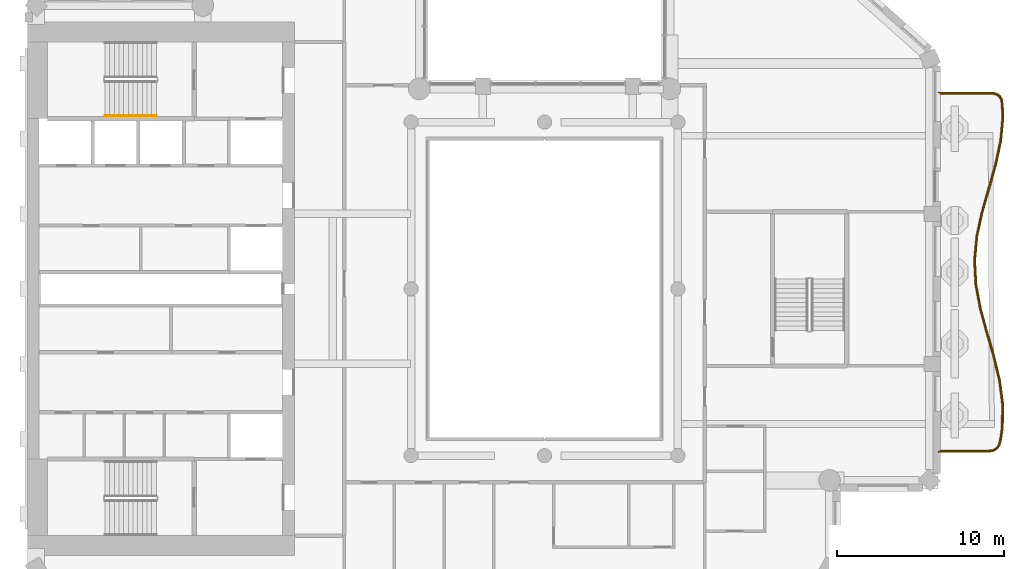
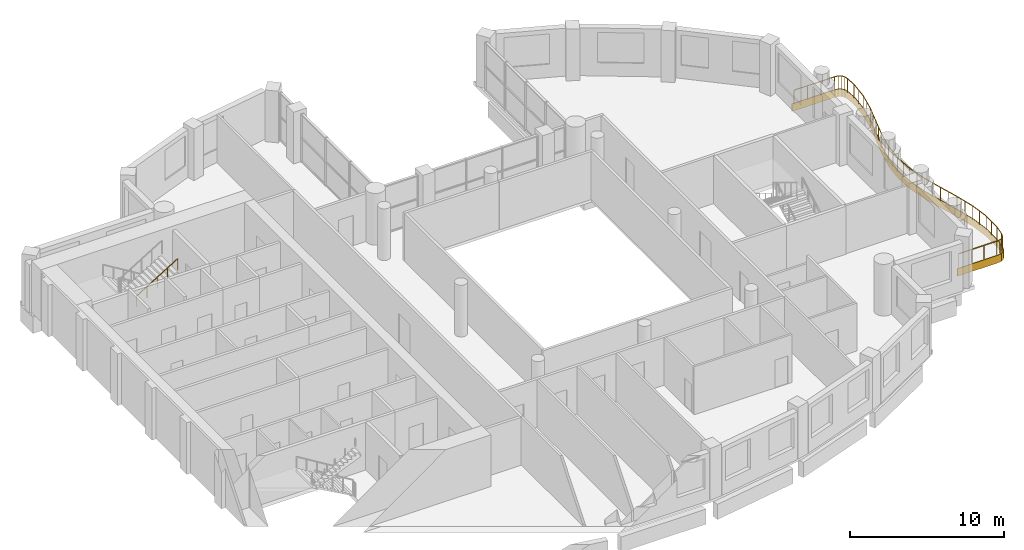
# One storey, part 13 of 15: 2 railings, 1 covering.
"""IFC4 building model written with IfcOpenShell, lengths in metres."""

import ifcopenshell
import ifcopenshell.guid

model = None  # the IFC model being written
_history = None  # IfcOwnerHistory: only IFC2X3 demands one
_inside = {}  # id of a spatial element -> (the spatial element, [elements in it])
_under = {}  # id of a project, library or spatial element -> (it, [spatial elements below it])
_declared = {}  # id of a project -> (the project, [libraries it declares])
_typed = {}  # id of a type object -> (the type object, [elements of that type])
_made_of = {}  # id of a material, layer set ... -> (it, [elements and type objects made of it])


def new_model(schema):
    """Start an empty IFC model of exactly this schema.

    Asked for "IFC4X3", IfcOpenShell would pick the latest addendum, in which some entities
    have other attributes; the version numbers below select the first issue.
    IFC2X3 requires an IfcOwnerHistory on every rooted entity: one is made here for all.
    """
    global model, _history
    if schema == "IFC4X3":
        model = ifcopenshell.file(schema_version=(4, 3, 0, 0))
    else:
        model = ifcopenshell.file(schema=schema)
    _inside.clear()
    _under.clear()
    _declared.clear()
    _typed.clear()
    _made_of.clear()
    _history = None
    if model.schema == "IFC2X3":
        org = make("IfcOrganization", Name="unknown")
        user = make(
            "IfcPersonAndOrganization",
            ThePerson=make("IfcPerson", FamilyName="unknown"),
            TheOrganization=org,
        )
        app = make(
            "IfcApplication",
            ApplicationDeveloper=org,
            Version="unknown",
            ApplicationFullName="unknown",
            ApplicationIdentifier="unknown",
        )
        _history = make(
            "IfcOwnerHistory",
            OwningUser=user,
            OwningApplication=app,
            ChangeAction="ADDED",
            CreationDate=0,
        )
    return model


def make(cls, **values):
    """One entity of the class cls with the attributes given. An attribute that is None is left unset."""
    return model.create_entity(
        cls, **{name: value for name, value in values.items() if value is not None}
    )


def rooted(cls, **values):
    """An entity with a GlobalId (a new one), such as an element, a storey or a relation."""
    return make(cls, GlobalId=ifcopenshell.guid.new(), OwnerHistory=_history, **values)


def si_unit(unit_type, name, prefix=None):
    """IfcSIUnit, for example si_unit("LENGTHUNIT", "METRE", prefix="MILLI")."""
    return make("IfcSIUnit", UnitType=unit_type, Prefix=prefix, Name=name)


def assignment(units):
    """IfcUnitAssignment: the units of a project."""
    return None if units is None else make("IfcUnitAssignment", Units=units)


def point(xyz):
    """IfcCartesianPoint."""
    return None if xyz is None else make("IfcCartesianPoint", Coordinates=xyz)


def direction(xyz):
    """IfcDirection."""
    return None if xyz is None else make("IfcDirection", DirectionRatios=xyz)


def frame(location, z_axis=None, x_axis=None):
    """IfcAxis2Placement3D, a coordinate frame: its origin and axes. An axis left out is left unset."""
    return make(
        "IfcAxis2Placement3D",
        Location=point(location),
        Axis=direction(z_axis),
        RefDirection=direction(x_axis),
    )


def frame_2d(location, x_axis=None):
    """IfcAxis2Placement2D, a coordinate frame in the plane: its origin and x axis."""
    return make(
        "IfcAxis2Placement2D", Location=point(location), RefDirection=direction(x_axis)
    )


def origin():
    """The frame at (0, 0, 0) with its axes left unset."""
    return frame((0.0, 0.0, 0.0))


def origin_2d():
    """The frame at (0, 0) in the plane with its x axis left unset."""
    return frame_2d((0.0, 0.0))


def place(relative_to, where):
    """IfcLocalPlacement: puts the frame where relative to a parent placement (None: the world)."""
    return make(
        "IfcLocalPlacement", PlacementRelTo=relative_to, RelativePlacement=where
    )


def context(
    kind, dimensions, precision=None, world=None, true_north=None, identifier=None
):
    """IfcGeometricRepresentationContext, for example the 3D "Model" context."""
    return make(
        "IfcGeometricRepresentationContext",
        ContextIdentifier=identifier,
        ContextType=kind,
        CoordinateSpaceDimension=dimensions,
        Precision=precision,
        WorldCoordinateSystem=world,
        TrueNorth=true_north,
    )


def subcontext(parent, identifier, kind, view, scale=None):
    """IfcGeometricRepresentationSubContext, for example "Body" below "Model"."""
    return make(
        "IfcGeometricRepresentationSubContext",
        ContextIdentifier=identifier,
        ContextType=kind,
        ParentContext=parent,
        TargetScale=scale,
        TargetView=view,
    )


def project(units=None, contexts=None):
    """IfcProject with its units and contexts."""
    return rooted(
        "IfcProject",
        Name="project",
        RepresentationContexts=contexts,
        UnitsInContext=assignment(units),
    )


def spatial(cls, under=None, at=None, **own):
    """A site, building, storey or space (cls), placed at a placement, below another one or the project."""
    s = rooted(cls, ObjectPlacement=at, **own)
    if under is not None:
        _under.setdefault(under.id(), (under, []))[1].append(s)
    return s


def polyline(points):
    """IfcPolyline through the points."""
    return make("IfcPolyline", Points=[point(p) for p in points])


def profile(cls, at=None, kind="AREA", **sizes):
    """A parametric profile (cls). Its sizes go by their IFC names, for example OverallWidth=200.0."""
    return make(cls, ProfileType=kind, Position=at, **sizes)


def rectangle(**sizes):
    """IfcRectangleProfileDef."""
    return profile("IfcRectangleProfileDef", **sizes)


def outline(outer, holes=None, kind="AREA"):
    """IfcArbitraryClosedProfileDef: a profile drawn as a closed curve; with holes, ...WithVoids."""
    if holes is None:
        return make("IfcArbitraryClosedProfileDef", ProfileType=kind, OuterCurve=outer)
    return make(
        "IfcArbitraryProfileDefWithVoids",
        ProfileType=kind,
        OuterCurve=outer,
        InnerCurves=holes,
    )


def extrude(swept, where, along, depth):
    """IfcExtrudedAreaSolid: the profile swept, set in the frame where, extruded along a direction by depth."""
    return make(
        "IfcExtrudedAreaSolid",
        SweptArea=swept,
        Position=where,
        ExtrudedDirection=direction(along),
        Depth=depth,
    )


def shape(context_of_items, identifier, shape_type, items):
    """IfcShapeRepresentation: the items that make up one representation, for example the "Body"."""
    return make(
        "IfcShapeRepresentation",
        ContextOfItems=context_of_items,
        RepresentationIdentifier=identifier,
        RepresentationType=shape_type,
        Items=items,
    )


def material(Name=None, Category=None):
    """IfcMaterial."""
    return make("IfcMaterial", Name=Name, Category=Category)


def layer(
    of_material, thickness, ventilated=None, Name=None, Category=None, Priority=None
):
    """IfcMaterialLayer: one layer of a wall or slab, of a material (None: an air gap)."""
    return make(
        "IfcMaterialLayer",
        Material=of_material,
        LayerThickness=thickness,
        IsVentilated=ventilated,
        Name=Name,
        Category=Category,
        Priority=Priority,
    )


def layer_set(layers, Name=None):
    """IfcMaterialLayerSet."""
    return make("IfcMaterialLayerSet", MaterialLayers=layers, LayerSetName=Name)


def made_of(thing, what):
    """Note that an element or type object is made of a material, layer set ...; save() writes the relation."""
    if what is not None:
        _made_of.setdefault(what.id(), (what, []))[1].append(thing)
    return thing


def type_object(cls, material=None, **own):
    """A type object (cls), such as IfcWallType, which elements share."""
    return made_of(rooted(cls, **own), material)


def element(
    cls,
    number,
    at=None,
    inside=None,
    cuts=None,
    type_object=None,
    material=None,
    context=None,
    identifier="Body",
    shape_type=None,
    held_by="IfcProductDefinitionShape",
    body=None,
    shapes=None,
    **own,
):
    """One element of the class cls, such as IfcWall. Its Tag is "e" and its number.

    at: its placement. inside: the storey or other place that contains it. cuts: it is an
    opening in that element (IfcRelVoidsElement). A single representation is given by context,
    identifier, shape_type and body (its items); several are given by shapes. held_by: the class
    of the entity that holds the representations. save() writes the other relations.
    """
    e = rooted(cls, Tag="e%d" % number, ObjectPlacement=at, **own)
    if body is not None:
        shapes = [shape(context, identifier, shape_type, body)]
    if shapes is not None:
        e.Representation = make(held_by, Representations=shapes)
    if inside is not None:
        _inside.setdefault(inside.id(), (inside, []))[1].append(e)
    if cuts is not None:
        rooted(
            "IfcRelVoidsElement", RelatingBuildingElement=cuts, RelatedOpeningElement=e
        )
    if type_object is not None:
        _typed.setdefault(type_object.id(), (type_object, []))[1].append(e)
    return made_of(e, material)


def aggregate(whole, parts):
    """IfcRelAggregates: a whole, such as a stair, and the parts it consists of."""
    return rooted("IfcRelAggregates", RelatingObject=whole, RelatedObjects=parts)


def save(model, path):
    """Write the relations noted so far, then the file.

    IfcRelAggregates (storeys below a building ...), IfcRelContainedInSpatialStructure (elements
    in a storey), IfcRelDefinesByType, IfcRelAssociatesMaterial and IfcRelDeclares: one each for
    every whole, place, type object, material and project.
    """
    for whole, parts in _under.values():
        aggregate(whole, parts)
    for where, things in _inside.values():
        rooted(
            "IfcRelContainedInSpatialStructure",
            RelatedElements=things,
            RelatingStructure=where,
        )
    for kind, things in _typed.values():
        rooted("IfcRelDefinesByType", RelatedObjects=things, RelatingType=kind)
    for what, things in _made_of.values():
        rooted("IfcRelAssociatesMaterial", RelatedObjects=things, RelatingMaterial=what)
    for by, libraries in _declared.values():
        rooted("IfcRelDeclares", RelatingContext=by, RelatedDefinitions=libraries)
    model.write(path)


model = new_model("IFC4")

# Units and contexts
model_context = context("Model", 3, precision=1e-05, world=origin(), true_north=direction((0.0, 1.0)))
body_context = subcontext(model_context, "Body", "Model", "MODEL_VIEW")
ifc_project = project(units=[si_unit("LENGTHUNIT", "METRE"), si_unit("AREAUNIT", "SQUARE_METRE"), si_unit("VOLUMEUNIT", "CUBIC_METRE"), si_unit("PLANEANGLEUNIT", "RADIAN"), si_unit("MASSUNIT", "GRAM", prefix="KILO")], contexts=[model_context])

# Site, building, storey
site_placement = place(None, origin())
site = spatial("IfcSite", under=ifc_project, at=site_placement, CompositionType="ELEMENT")
building_placement = place(site_placement, origin())
building = spatial("IfcBuilding", under=site, at=building_placement, Name="Cypress Arch Tower", CompositionType="ELEMENT")
storey_placement = place(building_placement, frame((0.0, 0.0, 243.39990234375)))
storey = spatial("IfcBuildingStorey", under=building, at=storey_placement, Name="L54", CompositionType="ELEMENT", Elevation=243.39990234375)

# Covering
ifc_material_1 = material(Name="White powder-coated aluminium fascia", Category="aluminium")
ifc_layer = layer(ifc_material_1, 0.050048828125)
ifc_layer_set = layer_set([ifc_layer], Name="Balcony fascia BF50")
covering_type = type_object("IfcCoveringType", Name="Balcony fascia BF50", PredefinedType="CLADDING", material=ifc_layer_set)
covering_placement = place(storey_placement, frame((0.0, 0.0, -0.599853515625)))
element("IfcCovering", 1, at=covering_placement, inside=storey, type_object=covering_type, Name="Balcony fascia L54-C17", PredefinedType="CLADDING", context=body_context, shape_type="SweptSolid", body=[
    extrude(outline(polyline([(27.77783203125, 11.800048828125), (28.075927734375, 11.7578125), (28.302978515625, 11.6259765625), (28.44677734375, 11.406494140625), (28.505126953125, 11.111328125), (28.54833984375, 10.315673828125), (28.417724609375, 8.875732421875), (28.110595703125, 7.43798828125), (27.703125, 6.0029296875), (27.295166015625, 4.5712890625), (26.986572265625, 3.142333984375), (26.8525390625, 1.715576171875), (26.92529296875, 0.2890625), (27.187255859375, -1.138916015625), (27.574951171875, -2.56982421875), (27.99365234375, -4.003662109375), (28.3408203125, -5.44091796875), (28.530517578125, -6.88037109375), (28.515625, -8.320556640625), (28.396484375, -9.11572265625), (28.31005859375, -9.41015625), (28.1455078125, -9.62744140625), (27.906005859375, -9.758056640625), (27.602294921875, -9.800048828125), (24.60107421875, -9.800048828125), (24.60107421875, -9.75), (27.598876953125, -9.75), (27.89013671875, -9.709716796875), (28.112060546875, -9.5888671875), (28.2646484375, -9.38720703125), (28.34765625, -9.10498046875), (28.465576171875, -8.316650390625), (28.48046875, -6.88330078125), (28.29150390625, -5.449951171875), (27.9453125, -4.0166015625), (27.52685546875, -2.583251953125), (27.138427734375, -1.14990234375), (26.87548828125, 0.283447265625), (26.802490234375, 1.716552734375), (26.93701171875, 3.14990234375), (27.24658203125, 4.583251953125), (27.655029296875, 6.0166015625), (28.06201171875, 7.449951171875), (28.3681640625, 8.88330078125), (28.498291015625, 10.316650390625), (28.455322265625, 11.10498046875), (28.399658203125, 11.38720703125), (28.267578125, 11.5888671875), (28.059326171875, 11.709716796875), (27.7744140625, 11.75), (24.60107421875, 11.75), (24.60107421875, 11.800048828125), (27.77783203125, 11.800048828125)])), origin(), (0.0, 0.0, 1.0), 0.599853515625),
])

# Railings
ifc_material_2 = material(Name="Powder-coated steel posts and rods, 100 mm clear between rods", Category="steel")
railing_type_1 = type_object("IfcRailingType", Name="Balcony guard GR1100", PredefinedType="GUARDRAIL", material=ifc_material_2)
railing_1_placement = place(storey_placement, frame((24.75, 11.699951171875, 0.0)))
element("IfcRailing", 2, at=railing_1_placement, inside=storey, type_object=railing_type_1, Name="Balcony guard L54-C17", PredefinedType="GUARDRAIL", context=body_context, shape_type="SweptSolid", body=[
    extrude(rectangle(XDim=0.050048828125, YDim=0.050048828125, at=origin_2d()), frame((0.0, 0.0, 1.0751953125), z_axis=(1.0, 0.0, 0.0), x_axis=(0.0, 1.0, 0.0)), (0.0, 0.0, 1.0), 3.02099609375),
    extrude(rectangle(XDim=0.050048828125, YDim=0.050048828125, at=origin_2d()), frame((3.02099609375, 0.0, 1.0751953125), z_axis=(0.990179683959, -0.139800548904, 0.0), x_axis=(0.139800548904, 0.990179683959, 0.0)), (0.0, 0.0, 1.0), 0.274169921875),
    extrude(rectangle(XDim=0.050048828125, YDim=0.050048828125, at=origin_2d()), frame((3.29248046875, -0.038330078125, 1.0751953125), z_axis=(0.865146994081, -0.501518373175, 0.0), x_axis=(0.501518373175, 0.865146994081, 0.0)), (0.0, 0.0, 1.0), 0.219482421875),
    extrude(rectangle(XDim=0.050048828125, YDim=0.050048828125, at=origin_2d()), frame((3.482421875, -0.1484375, 1.0751953125), z_axis=(0.547489194238, -0.836812752169, 0.0), x_axis=(0.836812752169, 0.547489194238, 0.0)), (0.0, 0.0, 1.0), 0.219482421875),
    extrude(rectangle(XDim=0.050048828125, YDim=0.050048828125, at=origin_2d()), frame((3.6025390625, -0.33203125, 1.0751953125), z_axis=(0.194061420155, -0.980989380782, 0.0), x_axis=(0.980989380782, 0.194061420155, 0.0)), (0.0, 0.0, 1.0), 0.274169921875),
    extrude(rectangle(XDim=0.050048828125, YDim=0.050048828125, at=origin_2d()), frame((3.65576171875, -0.60107421875, 1.0751953125), z_axis=(0.054294794144, -0.998524949778, 0.0), x_axis=(0.998524949778, 0.054294794144, 0.0)), (0.0, 0.0, 1.0), 0.782470703125),
    extrude(rectangle(XDim=0.050048828125, YDim=0.050048828125, at=origin_2d()), frame((3.6982421875, -1.38232421875, 1.0751953125), z_axis=(-0.090489650449, -0.995897395901, 0.0), x_axis=(0.995897395901, -0.090489650449, 0.0)), (0.0, 0.0, 1.0), 1.4326171875),
    extrude(rectangle(XDim=0.050048828125, YDim=0.050048828125, at=origin_2d()), frame((3.568603515625, -2.80908203125, 1.0751953125), z_axis=(-0.208889942648, -0.9779391555, 0.0), x_axis=(0.9779391555, -0.208889942648, 0.0)), (0.0, 0.0, 1.0), 1.4609375),
    extrude(rectangle(XDim=0.050048828125, YDim=0.050048828125, at=origin_2d()), frame((3.263427734375, -4.23779296875, 1.0751953125), z_axis=(-0.273095993256, -0.961986787055, 0.0), x_axis=(0.961986787055, -0.273095993256, 0.0)), (0.0, 0.0, 1.0), 1.488525390625),
    extrude(rectangle(XDim=0.050048828125, YDim=0.050048828125, at=origin_2d()), frame((2.85693359375, -5.669677734375, 1.0751953125), z_axis=(-0.274094303623, -0.961702819337, 0.0), x_axis=(0.961702819337, -0.274094303623, 0.0)), (0.0, 0.0, 1.0), 1.491943359375),
    extrude(rectangle(XDim=0.050048828125, YDim=0.050048828125, at=origin_2d()), frame((2.447998046875, -7.1044921875, 1.0751953125), z_axis=(-0.210968488478, -0.977492862823, 0.0), x_axis=(0.977492862823, -0.210968488478, 0.0)), (0.0, 0.0, 1.0), 1.470947265625),
    extrude(rectangle(XDim=0.050048828125, YDim=0.050048828125, at=origin_2d()), frame((2.1376953125, -8.542236328125, 1.0751953125), z_axis=(-0.093685826561, -0.995601810917, 0.0), x_axis=(0.995601810917, -0.093685826561, 0.0)), (0.0, 0.0, 1.0), 1.4462890625),
    extrude(rectangle(XDim=0.050048828125, YDim=0.050048828125, at=origin_2d()), frame((2.002197265625, -9.982177734375, 1.0751953125), z_axis=(0.050959301569, -0.998700730742, 0.0), x_axis=(0.998700730742, 0.050959301569, 0.0)), (0.0, 0.0, 1.0), 1.442138671875),
    extrude(rectangle(XDim=0.050048828125, YDim=0.050048828125, at=origin_2d()), frame((2.07568359375, -11.42236328125, 1.0751953125), z_axis=(0.180427447491, -0.983588296083, 0.0), x_axis=(0.983588296083, 0.180427447491, 0.0)), (0.0, 0.0, 1.0), 1.462646484375),
    extrude(rectangle(XDim=0.050048828125, YDim=0.050048828125, at=origin_2d()), frame((2.339599609375, -12.861083984375, 1.0751953125), z_axis=(0.261603412936, -0.96517545262, 0.0), x_axis=(0.96517545262, 0.261603412936, 0.0)), (0.0, 0.0, 1.0), 1.487548828125),
    extrude(rectangle(XDim=0.050048828125, YDim=0.050048828125, at=origin_2d()), frame((2.728759765625, -14.296875, 1.0751953125), z_axis=(0.280226136195, -0.959934014708, 0.0), x_axis=(0.959934014708, 0.280226136195, 0.0)), (0.0, 0.0, 1.0), 1.492431640625),
    extrude(rectangle(XDim=0.050048828125, YDim=0.050048828125, at=origin_2d()), frame((3.14697265625, -15.7294921875, 1.0751953125), z_axis=(0.234716255736, -0.972063927575, 0.0), x_axis=(0.972063927575, 0.234716255736, 0.0)), (0.0, 0.0, 1.0), 1.470703125),
    extrude(rectangle(XDim=0.050048828125, YDim=0.050048828125, at=origin_2d()), frame((3.4921875, -17.1591796875, 1.0751953125), z_axis=(0.130752816375, -0.991414999387, 0.0), x_axis=(0.991414999387, 0.130752816375, 0.0)), (0.0, 0.0, 1.0), 1.439697265625),
    extrude(rectangle(XDim=0.050048828125, YDim=0.050048828125, at=origin_2d()), frame((3.680419921875, -18.58642578125, 1.0751953125), z_axis=(-0.010269913691, -0.999947263046, 0.0), x_axis=(0.999947263046, -0.010269913691, 0.0)), (0.0, 0.0, 1.0), 1.42626953125),
    extrude(rectangle(XDim=0.050048828125, YDim=0.050048828125, at=origin_2d()), frame((3.665771484375, -20.0126953125, 1.0751953125), z_axis=(-0.148295130302, -0.988943150201, 0.0), x_axis=(0.988943150201, -0.148295130302, 0.0)), (0.0, 0.0, 1.0), 0.790283203125),
    extrude(rectangle(XDim=0.050048828125, YDim=0.050048828125, at=origin_2d()), frame((3.548583984375, -20.794189453125, 1.0751953125), z_axis=(-0.281931487744, -0.95943453983, 0.0), x_axis=(0.95943453983, -0.281931487744, 0.0)), (0.0, 0.0, 1.0), 0.281494140625),
    extrude(rectangle(XDim=0.050048828125, YDim=0.050048828125, at=origin_2d()), frame((3.46923828125, -21.064208984375, 1.0751953125), z_axis=(-0.602847920708, -0.797856117667, 0.0), x_axis=(0.797856117667, -0.602847920708, 0.0)), (0.0, 0.0, 1.0), 0.23291015625),
    extrude(rectangle(XDim=0.050048828125, YDim=0.050048828125, at=origin_2d()), frame((3.328857421875, -21.25, 1.0751953125), z_axis=(-0.878375825134, -0.477970616063, 0.0), x_axis=(0.477970616063, -0.878375825134, 0.0)), (0.0, 0.0, 1.0), 0.23291015625),
    extrude(rectangle(XDim=0.050048828125, YDim=0.050048828125, at=origin_2d()), frame((3.124267578125, -21.361328125, 1.0751953125), z_axis=(-0.990564364803, -0.137048309666, 0.0), x_axis=(0.137048309666, -0.990564364803, 0.0)), (0.0, 0.0, 1.0), 0.281494140625),
    extrude(rectangle(XDim=0.050048828125, YDim=0.050048828125, at=origin_2d()), frame((2.845458984375, -21.39990234375, 1.0751953125), z_axis=(-1.0, 0.0, 0.0), x_axis=(0.0, -1.0, 0.0)), (0.0, 0.0, 1.0), 2.845458984375),
    extrude(rectangle(XDim=0.0400390625, YDim=0.0400390625, at=origin_2d()), origin(), (0.0, 0.0, 1.0), 1.050048828125),
    extrude(rectangle(XDim=0.0400390625, YDim=0.0400390625, at=origin_2d()), frame((1.007080078125, 0.0, 0.0)), (0.0, 0.0, 1.0), 1.050048828125),
    extrude(rectangle(XDim=0.0400390625, YDim=0.0400390625, at=origin_2d()), frame((2.013916015625, 0.0, 0.0)), (0.0, 0.0, 1.0), 1.050048828125),
    extrude(rectangle(XDim=0.0400390625, YDim=0.0400390625, at=origin_2d()), frame((3.02099609375, 0.0, 0.0)), (0.0, 0.0, 1.0), 1.050048828125),
    extrude(rectangle(XDim=0.0400390625, YDim=0.0400390625, at=origin_2d()), frame((3.29248046875, -0.038330078125, 0.0)), (0.0, 0.0, 1.0), 1.050048828125),
    extrude(rectangle(XDim=0.0400390625, YDim=0.0400390625, at=origin_2d()), frame((3.482421875, -0.1484375, 0.0)), (0.0, 0.0, 1.0), 1.050048828125),
    extrude(rectangle(XDim=0.0400390625, YDim=0.0400390625, at=origin_2d()), frame((3.6025390625, -0.33203125, 0.0)), (0.0, 0.0, 1.0), 1.050048828125),
    extrude(rectangle(XDim=0.0400390625, YDim=0.0400390625, at=origin_2d()), frame((3.65576171875, -0.60107421875, 0.0)), (0.0, 0.0, 1.0), 1.050048828125),
    extrude(rectangle(XDim=0.0400390625, YDim=0.0400390625, at=origin_2d()), frame((3.6982421875, -1.38232421875, 0.0)), (0.0, 0.0, 1.0), 1.050048828125),
    extrude(rectangle(XDim=0.0400390625, YDim=0.0400390625, at=origin_2d()), frame((3.63330078125, -2.095703125, 0.0)), (0.0, 0.0, 1.0), 1.050048828125),
    extrude(rectangle(XDim=0.0400390625, YDim=0.0400390625, at=origin_2d()), frame((3.568603515625, -2.80908203125, 0.0)), (0.0, 0.0, 1.0), 1.050048828125),
    extrude(rectangle(XDim=0.0400390625, YDim=0.0400390625, at=origin_2d()), frame((3.416015625, -3.5234375, 0.0)), (0.0, 0.0, 1.0), 1.050048828125),
    extrude(rectangle(XDim=0.0400390625, YDim=0.0400390625, at=origin_2d()), frame((3.263427734375, -4.23779296875, 0.0)), (0.0, 0.0, 1.0), 1.050048828125),
    extrude(rectangle(XDim=0.0400390625, YDim=0.0400390625, at=origin_2d()), frame((3.06005859375, -4.95361328125, 0.0)), (0.0, 0.0, 1.0), 1.050048828125),
    extrude(rectangle(XDim=0.0400390625, YDim=0.0400390625, at=origin_2d()), frame((2.85693359375, -5.669677734375, 0.0)), (0.0, 0.0, 1.0), 1.050048828125),
    extrude(rectangle(XDim=0.0400390625, YDim=0.0400390625, at=origin_2d()), frame((2.65234375, -6.38720703125, 0.0)), (0.0, 0.0, 1.0), 1.050048828125),
    extrude(rectangle(XDim=0.0400390625, YDim=0.0400390625, at=origin_2d()), frame((2.447998046875, -7.1044921875, 0.0)), (0.0, 0.0, 1.0), 1.050048828125),
    extrude(rectangle(XDim=0.0400390625, YDim=0.0400390625, at=origin_2d()), frame((2.29296875, -7.8232421875, 0.0)), (0.0, 0.0, 1.0), 1.050048828125),
    extrude(rectangle(XDim=0.0400390625, YDim=0.0400390625, at=origin_2d()), frame((2.1376953125, -8.542236328125, 0.0)), (0.0, 0.0, 1.0), 1.050048828125),
    extrude(rectangle(XDim=0.0400390625, YDim=0.0400390625, at=origin_2d()), frame((2.06982421875, -9.26220703125, 0.0)), (0.0, 0.0, 1.0), 1.050048828125),
    extrude(rectangle(XDim=0.0400390625, YDim=0.0400390625, at=origin_2d()), frame((2.002197265625, -9.982177734375, 0.0)), (0.0, 0.0, 1.0), 1.050048828125),
    extrude(rectangle(XDim=0.0400390625, YDim=0.0400390625, at=origin_2d()), frame((2.0390625, -10.7021484375, 0.0)), (0.0, 0.0, 1.0), 1.050048828125),
    extrude(rectangle(XDim=0.0400390625, YDim=0.0400390625, at=origin_2d()), frame((2.07568359375, -11.42236328125, 0.0)), (0.0, 0.0, 1.0), 1.050048828125),
    extrude(rectangle(XDim=0.0400390625, YDim=0.0400390625, at=origin_2d()), frame((2.20751953125, -12.1416015625, 0.0)), (0.0, 0.0, 1.0), 1.050048828125),
    extrude(rectangle(XDim=0.0400390625, YDim=0.0400390625, at=origin_2d()), frame((2.339599609375, -12.861083984375, 0.0)), (0.0, 0.0, 1.0), 1.050048828125),
    extrude(rectangle(XDim=0.0400390625, YDim=0.0400390625, at=origin_2d()), frame((2.5341796875, -13.5791015625, 0.0)), (0.0, 0.0, 1.0), 1.050048828125),
    extrude(rectangle(XDim=0.0400390625, YDim=0.0400390625, at=origin_2d()), frame((2.728759765625, -14.296875, 0.0)), (0.0, 0.0, 1.0), 1.050048828125),
    extrude(rectangle(XDim=0.0400390625, YDim=0.0400390625, at=origin_2d()), frame((2.93798828125, -15.01318359375, 0.0)), (0.0, 0.0, 1.0), 1.050048828125),
    extrude(rectangle(XDim=0.0400390625, YDim=0.0400390625, at=origin_2d()), frame((3.14697265625, -15.7294921875, 0.0)), (0.0, 0.0, 1.0), 1.050048828125),
    extrude(rectangle(XDim=0.0400390625, YDim=0.0400390625, at=origin_2d()), frame((3.319580078125, -16.4443359375, 0.0)), (0.0, 0.0, 1.0), 1.050048828125),
    extrude(rectangle(XDim=0.0400390625, YDim=0.0400390625, at=origin_2d()), frame((3.4921875, -17.1591796875, 0.0)), (0.0, 0.0, 1.0), 1.050048828125),
    extrude(rectangle(XDim=0.0400390625, YDim=0.0400390625, at=origin_2d()), frame((3.58642578125, -17.872802734375, 0.0)), (0.0, 0.0, 1.0), 1.050048828125),
    extrude(rectangle(XDim=0.0400390625, YDim=0.0400390625, at=origin_2d()), frame((3.680419921875, -18.58642578125, 0.0)), (0.0, 0.0, 1.0), 1.050048828125),
    extrude(rectangle(XDim=0.0400390625, YDim=0.0400390625, at=origin_2d()), frame((3.673095703125, -19.299560546875, 0.0)), (0.0, 0.0, 1.0), 1.050048828125),
    extrude(rectangle(XDim=0.0400390625, YDim=0.0400390625, at=origin_2d()), frame((3.665771484375, -20.0126953125, 0.0)), (0.0, 0.0, 1.0), 1.050048828125),
    extrude(rectangle(XDim=0.0400390625, YDim=0.0400390625, at=origin_2d()), frame((3.548583984375, -20.794189453125, 0.0)), (0.0, 0.0, 1.0), 1.050048828125),
    extrude(rectangle(XDim=0.0400390625, YDim=0.0400390625, at=origin_2d()), frame((3.46923828125, -21.064208984375, 0.0)), (0.0, 0.0, 1.0), 1.050048828125),
    extrude(rectangle(XDim=0.0400390625, YDim=0.0400390625, at=origin_2d()), frame((3.328857421875, -21.25, 0.0)), (0.0, 0.0, 1.0), 1.050048828125),
    extrude(rectangle(XDim=0.0400390625, YDim=0.0400390625, at=origin_2d()), frame((3.124267578125, -21.361328125, 0.0)), (0.0, 0.0, 1.0), 1.050048828125),
    extrude(rectangle(XDim=0.0400390625, YDim=0.0400390625, at=origin_2d()), frame((2.845458984375, -21.39990234375, 0.0)), (0.0, 0.0, 1.0), 1.050048828125),
    extrude(rectangle(XDim=0.0400390625, YDim=0.0400390625, at=origin_2d()), frame((1.89697265625, -21.39990234375, 0.0)), (0.0, 0.0, 1.0), 1.050048828125),
    extrude(rectangle(XDim=0.0400390625, YDim=0.0400390625, at=origin_2d()), frame((0.948486328125, -21.39990234375, 0.0)), (0.0, 0.0, 1.0), 1.050048828125),
    extrude(rectangle(XDim=0.0400390625, YDim=0.0400390625, at=origin_2d()), frame((0.0, -21.39990234375, 0.0)), (0.0, 0.0, 1.0), 1.050048828125),
])
ifc_material_3 = material(Name="Black powder-coated steel square bar 48 mm", Category="steel")
railing_type_2 = type_object("IfcRailingType", Name="Stair handrail HR1", PredefinedType="HANDRAIL", material=ifc_material_3)
railing_2_placement = place(storey_placement, frame((-25.35498046875, 10.375, 2.220947265625)))
element("IfcRailing", 3, at=railing_2_placement, inside=storey, type_object=railing_type_2, Name="L54 B stair handrail 2", PredefinedType="HANDRAIL", context=body_context, shape_type="SweptSolid", body=[
    extrude(rectangle(XDim=0.048095703125, YDim=0.048095703125, at=origin_2d()), frame((0.0, 0.0, 0.8759765625), z_axis=(0.853666305674, 0.0, 0.52082035152), x_axis=(0.0, 1.0, 0.0)), (0.0, 0.0, 1.0), 3.608154296875),
    extrude(rectangle(XDim=0.0419921875, YDim=0.0419921875, at=origin_2d()), origin(), (0.0, 0.0, 1.0), 0.851806640625),
    extrude(rectangle(XDim=0.0419921875, YDim=0.0419921875, at=origin_2d()), frame((0.77001953125, 0.0, 0.4697265625)), (0.0, 0.0, 1.0), 0.851806640625),
    extrude(rectangle(XDim=0.0419921875, YDim=0.0419921875, at=origin_2d()), frame((1.5400390625, 0.0, 0.939453125)), (0.0, 0.0, 1.0), 0.851806640625),
    extrude(rectangle(XDim=0.0419921875, YDim=0.0419921875, at=origin_2d()), frame((2.31005859375, 0.0, 1.409423828125)), (0.0, 0.0, 1.0), 0.851806640625),
    extrude(rectangle(XDim=0.0419921875, YDim=0.0419921875, at=origin_2d()), frame((3.080078125, 0.0, 1.879150390625)), (0.0, 0.0, 1.0), 0.851806640625),
])

save(model, "model.ifc")
